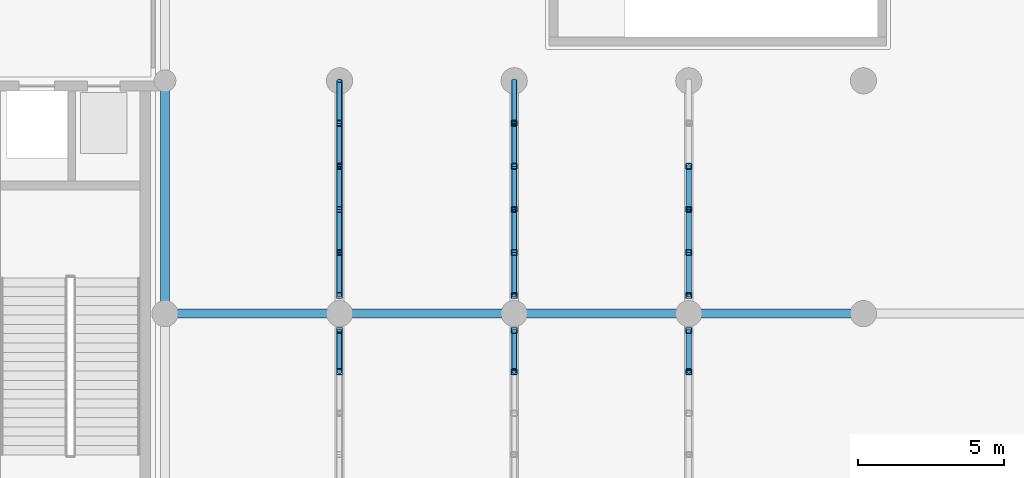
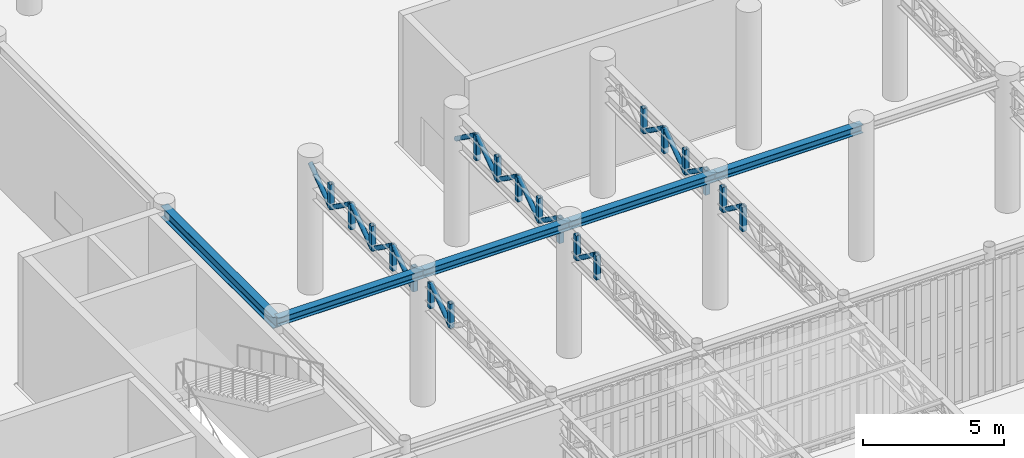
# One storey, part 26 of 118: 36 members, 5 beams.
"""IFC4 building model written with IfcOpenShell, lengths in metres."""

from ifc_helpers import new_model, si_unit, direction, frame, origin, origin_2d, place, context, subcontext, project, spatial, hollow_rectangle, hollow_circle, i_section, extrude, material, material_profile, profile_set, type_object, element, save


model = new_model("IFC4")

# Units and contexts
model_context = context("Model", 3, precision=1e-05, world=origin(), true_north=direction((0.0, 1.0)))
body_context = subcontext(model_context, "Body", "Model", "MODEL_VIEW")
ifc_project = project(units=[si_unit("LENGTHUNIT", "METRE"), si_unit("AREAUNIT", "SQUARE_METRE"), si_unit("VOLUMEUNIT", "CUBIC_METRE"), si_unit("PLANEANGLEUNIT", "RADIAN"), si_unit("MASSUNIT", "GRAM", prefix="KILO")], contexts=[model_context])

# Site, building, storey
site_placement = place(None, origin())
site = spatial("IfcSite", under=ifc_project, at=site_placement, CompositionType="ELEMENT")
building_placement = place(site_placement, origin())
building = spatial("IfcBuilding", under=site, at=building_placement, Name="Kolvaren Corner Interchange", CompositionType="ELEMENT")
storey_placement = place(building_placement, origin())
storey = spatial("IfcBuildingStorey", under=building, at=storey_placement, Name="L01", CompositionType="ELEMENT", Elevation=0.0)

# Beams
ifc_material_1 = material(Name="Steel S355", Category="steel")
ifc_material_profile_1 = material_profile(ifc_material_1, i_section(OverallWidth=0.300048828125, OverallDepth=0.35009765625, WebThickness=0.010009765625, FlangeThickness=0.017578125, FilletRadius=0.027099609375, at=origin_2d()), Name="HEA 360")
ifc_profile_set_1 = profile_set([ifc_material_profile_1], Name="Steel S355")
beam_type_1 = type_object("IfcBeamType", Name="BM-HEA360", PredefinedType="BEAM", material=ifc_profile_set_1)
for number, where, z_axis, x_axis, name in (
    (1, (66.0, 34.0, 5.574951171875), (1.0, 0.0, 0.0), (0.0, 1.0, 0.0), "Storey L01 Grid X Primary Girder 0233"),
    (2, (72.0, 34.0, 5.574951171875), (1.0, 0.0, 0.0), (0.0, 1.0, 0.0), "Storey L01 Grid X Primary Girder 0234"),
    (3, (78.0, 34.0, 5.574951171875), (1.0, 0.0, 0.0), (0.0, 1.0, 0.0), "Storey L01 Grid X Primary Girder 0235"),
    (4, (84.0, 34.0, 5.574951171875), (1.0, 0.0, 0.0), (0.0, 1.0, 0.0), "Storey L01 Grid X Primary Girder 0236"),
):
    element("IfcBeam", number, at=place(storey_placement, frame(where, z_axis=z_axis, x_axis=x_axis)), inside=storey, type_object=beam_type_1, Name=name, PredefinedType="BEAM", context=body_context, shape_type="SweptSolid", body=[
        extrude(i_section(OverallWidth=0.300048828125, OverallDepth=0.35009765625, WebThickness=0.010009765625, FlangeThickness=0.017578125, FilletRadius=0.027099609375, at=origin_2d()), origin(), (0.0, 0.0, 1.0), 6.0),
    ])
ifc_material_2 = material(Name="Steel S355", Category="steel")
ifc_material_profile_2 = material_profile(ifc_material_2, i_section(OverallWidth=0.300048828125, OverallDepth=0.489990234375, WebThickness=0.011962890625, FlangeThickness=0.02294921875, FilletRadius=0.027099609375, at=origin_2d()), Name="HEA 500")
ifc_profile_set_2 = profile_set([ifc_material_profile_2], Name="Steel S355")
beam_type_2 = type_object("IfcBeamType", Name="BM-HEA500", PredefinedType="BEAM", material=ifc_profile_set_2)
beam_placement = place(storey_placement, frame((66.0, 34.0, 5.5048828125), z_axis=(0.0, 1.0, 0.0), x_axis=(-1.0, 0.0, 0.0)))
element("IfcBeam", 5, at=beam_placement, inside=storey, type_object=beam_type_2, Name="Storey L01 Grid Y Primary Girder 0347", PredefinedType="BEAM", context=body_context, shape_type="SweptSolid", body=[
    extrude(i_section(OverallWidth=0.300048828125, OverallDepth=0.489990234375, WebThickness=0.011962890625, FlangeThickness=0.02294921875, FilletRadius=0.027099609375, at=origin_2d()), origin(), (0.0, 0.0, 1.0), 8.0),
])

# Members
ifc_material_3 = material(Name="Steel S355", Category="steel")
ifc_material_profile_3 = material_profile(ifc_material_3, hollow_circle(Radius=0.096923828125, WallThickness=0.010009765625, at=origin_2d()), Name="CHS 193.7x10.0")
ifc_profile_set_3 = profile_set([ifc_material_profile_3], Name="Steel S355")
member_type_1 = type_object("IfcMemberType", Name="MEM-BR-CHS194", PredefinedType="BRACE", material=ifc_profile_set_3)
member_1_placement = place(storey_placement, frame((72.0, 32.0, 4.409912109375), z_axis=(0.0, 0.801320731352, 0.59823497516), x_axis=(-1.0, 0.0, 0.0)))
element("IfcMember", 6, at=member_1_placement, inside=storey, type_object=member_type_1, Name="South Portal Cantilever Roof Truss L02 Line 1 Diagonal 11", PredefinedType="BRACE", context=body_context, shape_type="SweptSolid", body=[
    extrude(hollow_circle(Radius=0.096923828125, WallThickness=0.010009765625, at=origin_2d()), origin(), (0.0, 0.0, 1.0), 1.77197265625),
])
for number, where, z_axis, x_axis, name in (
    (7, (72.0, 34.6201171875, 4.409912109375), (0.0, 0.812971611599, 0.582303321934), (-1.0, 0.0, 0.0), "South Portal Cantilever Roof Truss L02 Line 1 Diagonal 13"),
    (8, (72.0, 36.10009765625, 5.469970703125), (0.0, 0.812971611599, -0.582303321934), (-1.0, 0.0, 0.0), "South Portal Cantilever Roof Truss L02 Line 1 Diagonal 14"),
    (9, (72.0, 37.580078125, 4.409912109375), (0.0, 0.812971611599, 0.582303321934), (-1.0, 0.0, 0.0), "South Portal Cantilever Roof Truss L02 Line 1 Diagonal 15"),
    (10, (72.0, 39.06005859375, 5.469970703125), (0.0, 0.812971611599, -0.582303321934), (-1.0, 0.0, 0.0), "South Portal Cantilever Roof Truss L02 Line 1 Diagonal 16"),
):
    element("IfcMember", number, at=place(storey_placement, frame(where, z_axis=z_axis, x_axis=x_axis)), inside=storey, type_object=member_type_1, Name=name, PredefinedType="BRACE", context=body_context, shape_type="SweptSolid", body=[
        extrude(hollow_circle(Radius=0.096923828125, WallThickness=0.010009765625, at=origin_2d()), origin(), (0.0, 0.0, 1.0), 1.820556640625),
    ])
member_2_placement = place(storey_placement, frame((72.0, 40.5400390625, 4.409912109375), z_axis=(0.0, 0.809192259471, 0.58754394492), x_axis=(-1.0, 0.0, 0.0)))
element("IfcMember", 11, at=member_2_placement, inside=storey, type_object=member_type_1, Name="South Portal Cantilever Roof Truss L02 Line 1 Diagonal 17", PredefinedType="BRACE", context=body_context, shape_type="SweptSolid", body=[
    extrude(hollow_circle(Radius=0.096923828125, WallThickness=0.010009765625, at=origin_2d()), origin(), (0.0, 0.0, 1.0), 1.80419921875),
])
member_3_placement = place(storey_placement, frame((78.0, 32.0, 5.469970703125), z_axis=(0.0, 0.801320731352, -0.59823497516), x_axis=(-1.0, 0.0, 0.0)))
element("IfcMember", 12, at=member_3_placement, inside=storey, type_object=member_type_1, Name="South Portal Cantilever Roof Truss L02 Line 2 Diagonal 12", PredefinedType="BRACE", context=body_context, shape_type="SweptSolid", body=[
    extrude(hollow_circle(Radius=0.096923828125, WallThickness=0.010009765625, at=origin_2d()), origin(), (0.0, 0.0, 1.0), 1.77197265625),
])
for number, where, z_axis, x_axis, name in (
    (13, (78.0, 34.6201171875, 5.469970703125), (0.0, 0.812971611599, -0.582303321934), (-1.0, 0.0, 0.0), "South Portal Cantilever Roof Truss L02 Line 2 Diagonal 14"),
    (14, (78.0, 36.10009765625, 4.409912109375), (0.0, 0.812971611599, 0.582303321934), (-1.0, 0.0, 0.0), "South Portal Cantilever Roof Truss L02 Line 2 Diagonal 15"),
    (15, (78.0, 37.580078125, 5.469970703125), (0.0, 0.812971611599, -0.582303321934), (-1.0, 0.0, 0.0), "South Portal Cantilever Roof Truss L02 Line 2 Diagonal 16"),
    (16, (78.0, 39.06005859375, 4.409912109375), (0.0, 0.812971611599, 0.582303321934), (-1.0, 0.0, 0.0), "South Portal Cantilever Roof Truss L02 Line 2 Diagonal 17"),
):
    element("IfcMember", number, at=place(storey_placement, frame(where, z_axis=z_axis, x_axis=x_axis)), inside=storey, type_object=member_type_1, Name=name, PredefinedType="BRACE", context=body_context, shape_type="SweptSolid", body=[
        extrude(hollow_circle(Radius=0.096923828125, WallThickness=0.010009765625, at=origin_2d()), origin(), (0.0, 0.0, 1.0), 1.820556640625),
    ])
member_4_placement = place(storey_placement, frame((78.0, 40.5400390625, 5.469970703125), z_axis=(0.0, 0.809192259471, -0.58754394492), x_axis=(-1.0, 0.0, 0.0)))
element("IfcMember", 17, at=member_4_placement, inside=storey, type_object=member_type_1, Name="South Portal Cantilever Roof Truss L02 Line 2 Diagonal 18", PredefinedType="BRACE", context=body_context, shape_type="SweptSolid", body=[
    extrude(hollow_circle(Radius=0.096923828125, WallThickness=0.010009765625, at=origin_2d()), origin(), (0.0, 0.0, 1.0), 1.80419921875),
])
member_5_placement = place(storey_placement, frame((84.0, 32.0, 5.469970703125), z_axis=(0.0, 0.801320731352, -0.59823497516), x_axis=(-1.0, 0.0, 0.0)))
element("IfcMember", 18, at=member_5_placement, inside=storey, type_object=member_type_1, Name="South Portal Cantilever Roof Truss L02 Line 3 Diagonal 12", PredefinedType="BRACE", context=body_context, shape_type="SweptSolid", body=[
    extrude(hollow_circle(Radius=0.096923828125, WallThickness=0.010009765625, at=origin_2d()), origin(), (0.0, 0.0, 1.0), 1.77197265625),
])
for number, where, z_axis, x_axis, name in (
    (19, (84.0, 34.6201171875, 5.469970703125), (0.0, 0.812971611599, -0.582303321934), (-1.0, 0.0, 0.0), "South Portal Cantilever Roof Truss L02 Line 3 Diagonal 14"),
    (20, (84.0, 36.10009765625, 4.409912109375), (0.0, 0.812971611599, 0.582303321934), (-1.0, 0.0, 0.0), "South Portal Cantilever Roof Truss L02 Line 3 Diagonal 15"),
    (21, (84.0, 37.580078125, 5.469970703125), (0.0, 0.812971611599, -0.582303321934), (-1.0, 0.0, 0.0), "South Portal Cantilever Roof Truss L02 Line 3 Diagonal 16"),
):
    element("IfcMember", number, at=place(storey_placement, frame(where, z_axis=z_axis, x_axis=x_axis)), inside=storey, type_object=member_type_1, Name=name, PredefinedType="BRACE", context=body_context, shape_type="SweptSolid", body=[
        extrude(hollow_circle(Radius=0.096923828125, WallThickness=0.010009765625, at=origin_2d()), origin(), (0.0, 0.0, 1.0), 1.820556640625),
    ])
ifc_material_4 = material(Name="Steel S355", Category="steel")
ifc_material_profile_4 = material_profile(ifc_material_4, hollow_rectangle(XDim=0.199951171875, YDim=0.199951171875, WallThickness=0.010009765625, InnerFilletRadius=0.010009765625, OuterFilletRadius=0.02001953125, at=origin_2d()), Name="SHS 200x200x10.0")
ifc_profile_set_4 = profile_set([ifc_material_profile_4], Name="Steel S355")
member_type_2 = type_object("IfcMemberType", Name="MEM-PT-SHS200", PredefinedType="POST", material=ifc_profile_set_4)
for number, where, z_axis, x_axis, name in (
    (22, (72.0, 32.0, 4.409912109375), (0.0, 0.0, 1.0), (1.0, 0.0, 0.0), "South Portal Cantilever Roof Truss L02 Line 1 Web Post 11"),
    (23, (72.0, 33.419921875, 4.409912109375), (0.0, 0.0, 1.0), (1.0, 0.0, 0.0), "South Portal Cantilever Roof Truss L02 Line 1 Web Post 12"),
    (24, (72.0, 34.6201171875, 4.409912109375), (0.0, 0.0, 1.0), (1.0, 0.0, 0.0), "South Portal Cantilever Roof Truss L02 Line 1 Web Post 13"),
    (25, (72.0, 36.10009765625, 4.409912109375), (0.0, 0.0, 1.0), (1.0, 0.0, 0.0), "South Portal Cantilever Roof Truss L02 Line 1 Web Post 14"),
    (26, (72.0, 37.580078125, 4.409912109375), (0.0, 0.0, 1.0), (1.0, 0.0, 0.0), "South Portal Cantilever Roof Truss L02 Line 1 Web Post 15"),
    (27, (72.0, 39.06005859375, 4.409912109375), (0.0, 0.0, 1.0), (1.0, 0.0, 0.0), "South Portal Cantilever Roof Truss L02 Line 1 Web Post 16"),
    (28, (72.0, 40.5400390625, 4.409912109375), (0.0, 0.0, 1.0), (1.0, 0.0, 0.0), "South Portal Cantilever Roof Truss L02 Line 1 Web Post 17"),
    (29, (78.0, 32.0, 4.409912109375), (0.0, 0.0, 1.0), (1.0, 0.0, 0.0), "South Portal Cantilever Roof Truss L02 Line 2 Web Post 12"),
    (30, (78.0, 33.419921875, 4.409912109375), (0.0, 0.0, 1.0), (1.0, 0.0, 0.0), "South Portal Cantilever Roof Truss L02 Line 2 Web Post 13"),
    (31, (78.0, 34.6201171875, 4.409912109375), (0.0, 0.0, 1.0), (1.0, 0.0, 0.0), "South Portal Cantilever Roof Truss L02 Line 2 Web Post 14"),
    (32, (78.0, 36.10009765625, 4.409912109375), (0.0, 0.0, 1.0), (1.0, 0.0, 0.0), "South Portal Cantilever Roof Truss L02 Line 2 Web Post 15"),
    (33, (78.0, 37.580078125, 4.409912109375), (0.0, 0.0, 1.0), (1.0, 0.0, 0.0), "South Portal Cantilever Roof Truss L02 Line 2 Web Post 16"),
    (34, (78.0, 39.06005859375, 4.409912109375), (0.0, 0.0, 1.0), (1.0, 0.0, 0.0), "South Portal Cantilever Roof Truss L02 Line 2 Web Post 17"),
    (35, (78.0, 40.5400390625, 4.409912109375), (0.0, 0.0, 1.0), (1.0, 0.0, 0.0), "South Portal Cantilever Roof Truss L02 Line 2 Web Post 18"),
    (36, (84.0, 32.0, 4.409912109375), (0.0, 0.0, 1.0), (1.0, 0.0, 0.0), "South Portal Cantilever Roof Truss L02 Line 3 Web Post 12"),
    (37, (84.0, 33.419921875, 4.409912109375), (0.0, 0.0, 1.0), (1.0, 0.0, 0.0), "South Portal Cantilever Roof Truss L02 Line 3 Web Post 13"),
    (38, (84.0, 34.6201171875, 4.409912109375), (0.0, 0.0, 1.0), (1.0, 0.0, 0.0), "South Portal Cantilever Roof Truss L02 Line 3 Web Post 14"),
    (39, (84.0, 36.10009765625, 4.409912109375), (0.0, 0.0, 1.0), (1.0, 0.0, 0.0), "South Portal Cantilever Roof Truss L02 Line 3 Web Post 15"),
    (40, (84.0, 37.580078125, 4.409912109375), (0.0, 0.0, 1.0), (1.0, 0.0, 0.0), "South Portal Cantilever Roof Truss L02 Line 3 Web Post 16"),
    (41, (84.0, 39.06005859375, 4.409912109375), (0.0, 0.0, 1.0), (1.0, 0.0, 0.0), "South Portal Cantilever Roof Truss L02 Line 3 Web Post 17"),
):
    element("IfcMember", number, at=place(storey_placement, frame(where, z_axis=z_axis, x_axis=x_axis)), inside=storey, type_object=member_type_2, Name=name, PredefinedType="POST", context=body_context, shape_type="SweptSolid", body=[
        extrude(hollow_rectangle(XDim=0.199951171875, YDim=0.199951171875, WallThickness=0.010009765625, InnerFilletRadius=0.010009765625, OuterFilletRadius=0.02001953125, at=origin_2d()), origin(), (0.0, 0.0, 1.0), 1.06005859375),
    ])

save(model, "model.ifc")
